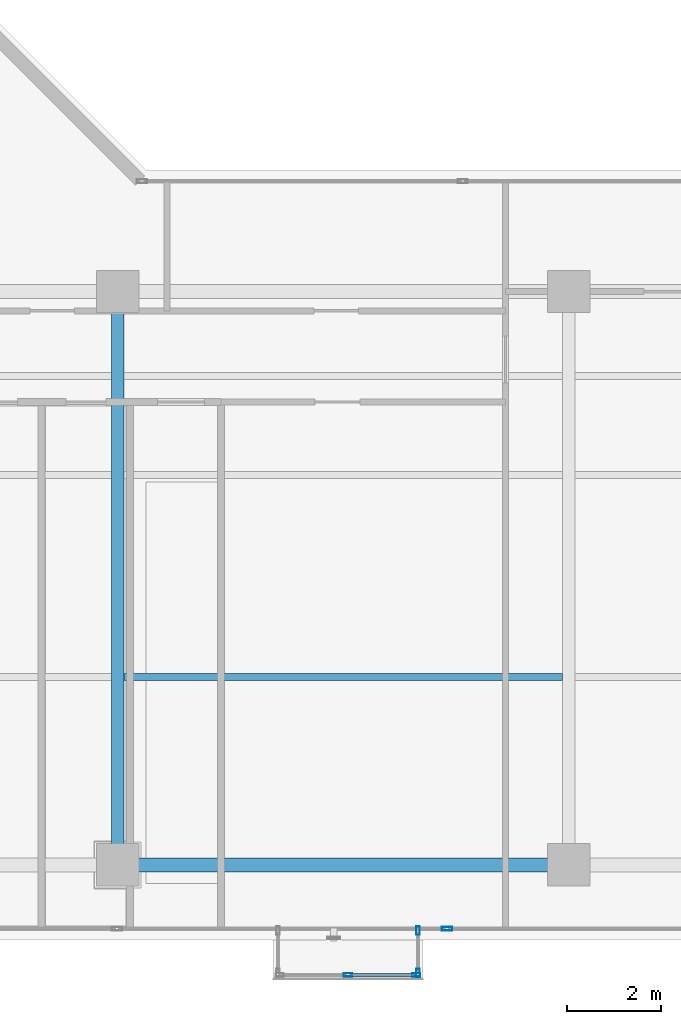
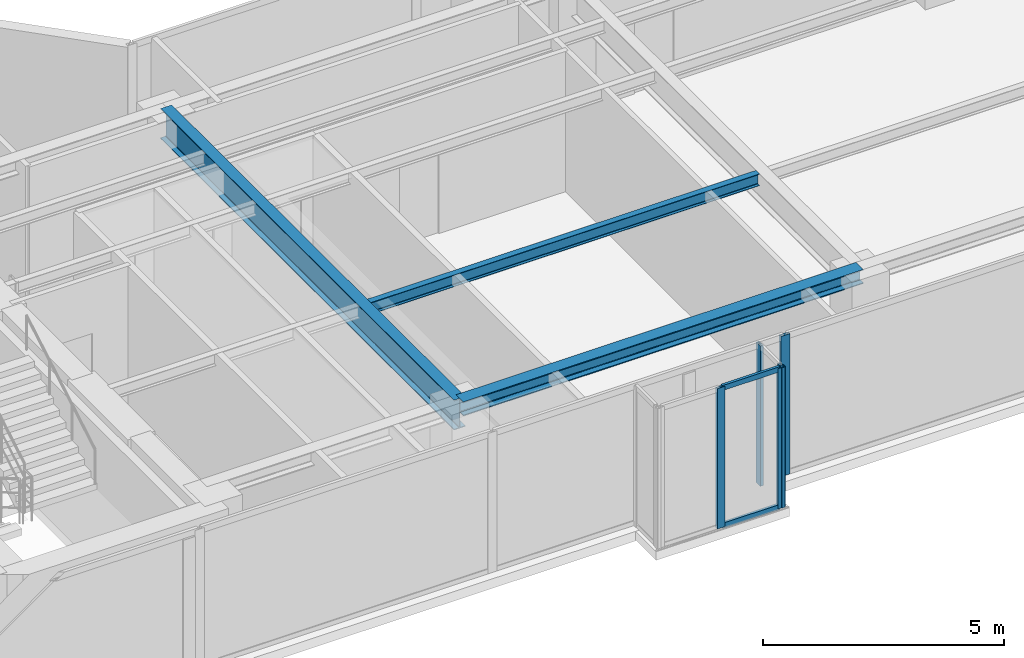
# One storey, part 5 of 22: 7 members, 3 beams, 3 elements without a shape of their own.
"""IFC4 building model written with IfcOpenShell, lengths in metres."""

from ifc_helpers import new_model, si_unit, direction, frame, origin, origin_with_axes, origin_2d, place, context, subcontext, project, spatial, hollow_rectangle, i_section, extrude, source, transform, mapped, material, layer, layer_set, material_profile, profile_set, type_object, element, aggregate, save


model = new_model("IFC4")

# Units and contexts
model_context = context("Model", 3, precision=1e-05, world=origin(), true_north=direction((0.0, 1.0)))
body_context = subcontext(model_context, "Body", "Model", "MODEL_VIEW")
ifc_project = project(units=[si_unit("LENGTHUNIT", "METRE"), si_unit("AREAUNIT", "SQUARE_METRE"), si_unit("VOLUMEUNIT", "CUBIC_METRE"), si_unit("PLANEANGLEUNIT", "RADIAN"), si_unit("MASSUNIT", "GRAM", prefix="KILO")], contexts=[model_context])

# Site, building, storey
site_placement = place(None, origin())
site = spatial("IfcSite", under=ifc_project, at=site_placement, CompositionType="ELEMENT")
building_placement = place(site_placement, origin())
building = spatial("IfcBuilding", under=site, at=building_placement, Name="Kolvaren Waterfront Exchange", CompositionType="ELEMENT")
storey_placement = place(building_placement, frame((0.0, 0.0, 266.60009765625)))
storey = spatial("IfcBuildingStorey", under=building, at=storey_placement, Name="L68", CompositionType="ELEMENT", Elevation=266.60009765625)

# Beams
ifc_material_1 = material(Name="Steel S355", Category="steel")
ifc_material_profile_1 = material_profile(ifc_material_1, i_section(OverallWidth=0.300048828125, OverallDepth=0.360107421875, WebThickness=0.012451171875, FlangeThickness=0.0224609375, FilletRadius=0.027099609375, at=origin_2d()), Name="HEB360")
ifc_profile_set_1 = profile_set([ifc_material_profile_1], Name="Steel S355")
beam_type_1 = type_object("IfcBeamType", Name="STR-BM-HEB360", PredefinedType="SPANDREL", material=ifc_profile_set_1)
beam_1_placement = place(storey_placement, frame((27.199951171875, 5.199951171875, 3.3798828125), z_axis=(1.0, 0.0, 0.0), x_axis=(0.0, 1.0, 0.0)))
element("IfcBeam", 1, at=beam_1_placement, inside=storey, type_object=beam_type_1, Name="L68 east-arm spandrel S2", PredefinedType="SPANDREL", context=body_context, shape_type="SweptSolid", body=[
    extrude(i_section(OverallWidth=0.300048828125, OverallDepth=0.360107421875, WebThickness=0.012451171875, FlangeThickness=0.0224609375, FilletRadius=0.027099609375, at=origin_2d()), origin(), (0.0, 0.0, 1.0), 9.60009765625),
])
ifc_material_profile_2 = material_profile(ifc_material_1, i_section(OverallWidth=0.14990234375, OverallDepth=0.300048828125, WebThickness=0.007080078125, FlangeThickness=0.0107421875, FilletRadius=0.014892578125, at=origin_2d()), Name="IPE300")
ifc_profile_set_2 = profile_set([ifc_material_profile_2], Name="Steel S355")
beam_type_2 = type_object("IfcBeamType", Name="STR-BM-IPE300", PredefinedType="JOIST", material=ifc_profile_set_2)
beam_2_placement = place(storey_placement, frame((27.33544921875, 9.199951171875, 3.409912109375), z_axis=(1.0, 0.0, 0.0), x_axis=(0.0, 1.0, 0.0)))
element("IfcBeam", 2, at=beam_2_placement, inside=storey, type_object=beam_type_2, Name="L68 east-arm composite joist 2B", PredefinedType="JOIST", context=body_context, shape_type="SweptSolid", body=[
    extrude(i_section(OverallWidth=0.14990234375, OverallDepth=0.300048828125, WebThickness=0.007080078125, FlangeThickness=0.0107421875, FilletRadius=0.014892578125, at=origin_2d()), origin(), (0.0, 0.0, 1.0), 9.3291015625),
])
ifc_material_profile_3 = material_profile(ifc_material_1, i_section(OverallWidth=0.26708984375, OverallDepth=0.761962890625, WebThickness=0.014404296875, FlangeThickness=0.021484375, FilletRadius=0.01708984375, at=origin_2d()), Name="IPE750x173")
ifc_profile_set_3 = profile_set([ifc_material_profile_3], Name="Steel S355")
beam_type_3 = type_object("IfcBeamType", Name="STR-BM-IPE750", PredefinedType="BEAM", material=ifc_profile_set_3)
beam_3_placement = place(storey_placement, frame((27.199951171875, 5.199951171875, 3.178955078125), z_axis=(0.0, 1.0, 0.0), x_axis=(-1.0, 0.0, 0.0)))
element("IfcBeam", 3, at=beam_3_placement, inside=storey, type_object=beam_type_3, Name="L68 east-arm transverse girder X27", PredefinedType="BEAM", context=body_context, shape_type="SweptSolid", body=[
    extrude(i_section(OverallWidth=0.26708984375, OverallDepth=0.761962890625, WebThickness=0.014404296875, FlangeThickness=0.021484375, FilletRadius=0.01708984375, at=origin_2d()), origin(), (0.0, 0.0, 1.0), 12.199951171875),
])

# Curtain wall, members
ifc_material_2 = material(Name="Anodised bronze aluminium 6063-T6", Category="aluminium")
ifc_layer_1 = layer(ifc_material_2, 0.219970703125, Name="Anodised bronze aluminium 6063-T6")
ifc_layer_set_1 = layer_set([ifc_layer_1], Name="Anodised bronze aluminium 6063-T6")
curtain_wall_type_1 = type_object("IfcCurtainWallType", Name="ARC-CW-SYS3", PredefinedType="USERDEFINED", material=ifc_layer_set_1)
curtain_wall_1_placement = place(storey_placement, origin())
curtain_wall_1 = element("IfcCurtainWall", 4, at=curtain_wall_1_placement, inside=storey, type_object=curtain_wall_type_1, Name="L68 stick curtain wall CW3 (CW-L68-BOX)", ObjectType="STICK CURTAIN WALL", PredefinedType="USERDEFINED")
ifc_material_profile_4 = material_profile(ifc_material_2, hollow_rectangle(XDim=0.06494140625, YDim=0.1298828125, WallThickness=0.00390625, at=origin_2d()), Name="ALU-TRN-130x65x4")
ifc_profile_set_4 = profile_set([ifc_material_profile_4], Name="Anodised bronze aluminium 6063-T6")
member_type_1 = type_object("IfcMemberType", Name="ARC-CWT-130", PredefinedType="USERDEFINED", material=ifc_profile_set_4)
shared_shape_1 = source(origin_with_axes(), body_context, "Body", "SweptSolid", [
    extrude(hollow_rectangle(XDim=0.06494140625, YDim=0.1298828125, WallThickness=0.00390625, at=origin_2d()), origin(), (0.0, 0.0, 1.0), 1.37744140625),
])
member_1_placement = place(storey_placement, frame((32.137451171875, 2.860107421875, 0.032470703125), z_axis=(1.0, 0.0, 0.0), x_axis=(0.0, 1.0, 0.0)))
member_1 = element("IfcMember", 5, at=member_1_placement, type_object=member_type_1, Name="CW3 transom 2.1", ObjectType="TRANSOM", PredefinedType="USERDEFINED", context=body_context, shape_type="MappedRepresentation", body=[
    mapped(shared_shape_1, transform((0.0, 0.0, 0.0), x_axis=(1.0, 0.0, 0.0), y_axis=(0.0, 1.0, 0.0), z_axis=(0.0, 0.0, 1.0), scale=1.0)),
])
member_2_placement = place(storey_placement, frame((32.137451171875, 2.860107421875, 3.52734375), z_axis=(1.0, 0.0, 0.0), x_axis=(0.0, 1.0, 0.0)))
member_2 = element("IfcMember", 6, at=member_2_placement, type_object=member_type_1, Name="CW3 transom 2.2", ObjectType="TRANSOM", PredefinedType="USERDEFINED", context=body_context, shape_type="MappedRepresentation", body=[
    mapped(shared_shape_1, transform((0.0, 0.0, 0.0), x_axis=(1.0, 0.0, 0.0), y_axis=(0.0, 1.0, 0.0), z_axis=(0.0, 0.0, 1.0), scale=1.0)),
])
ifc_material_profile_5 = material_profile(ifc_material_2, hollow_rectangle(XDim=0.074951171875, YDim=0.179931640625, WallThickness=0.00439453125, at=origin_2d()), Name="ALU-MUL-180x75x4.5")
ifc_profile_set_5 = profile_set([ifc_material_profile_5], Name="Anodised bronze aluminium 6063-T6")
member_type_2 = type_object("IfcMemberType", Name="ARC-CWM-180", PredefinedType="MULLION", material=ifc_profile_set_5)
shared_shape_2 = source(origin_with_axes(), body_context, "Body", "SweptSolid", [
    extrude(hollow_rectangle(XDim=0.074951171875, YDim=0.179931640625, WallThickness=0.00439453125, at=origin_2d()), origin(), (0.0, 0.0, 1.0), 3.559814453125),
])
member_3_placement = place(storey_placement, frame((32.10009765625, 2.860107421875, 0.0), z_axis=(0.0, 0.0, 1.0), x_axis=(0.0, 1.0, 0.0)))
member_3 = element("IfcMember", 7, at=member_3_placement, type_object=member_type_2, Name="CW3 mullion 2", PredefinedType="MULLION", context=body_context, shape_type="MappedRepresentation", body=[
    mapped(shared_shape_2, transform((0.0, 0.0, 0.0), x_axis=(1.0, 0.0, 0.0), y_axis=(0.0, 1.0, 0.0), z_axis=(0.0, 0.0, 1.0), scale=1.0)),
])
member_4_placement = place(storey_placement, frame((33.552490234375, 2.860107421875, 0.0), z_axis=(0.0, 0.0, 1.0), x_axis=(0.0, 1.0, 0.0)))
member_4 = element("IfcMember", 8, at=member_4_placement, type_object=member_type_2, Name="CW3 mullion 3", PredefinedType="MULLION", context=body_context, shape_type="MappedRepresentation", body=[
    mapped(shared_shape_2, transform((0.0, 0.0, 0.0), x_axis=(1.0, 0.0, 0.0), y_axis=(0.0, 1.0, 0.0), z_axis=(0.0, 0.0, 1.0), scale=1.0)),
])
aggregate(curtain_wall_1, [member_3, member_4, member_1, member_2])

curtain_wall_2_placement = place(storey_placement, origin())
curtain_wall_2 = element("IfcCurtainWall", 9, at=curtain_wall_2_placement, inside=storey, type_object=curtain_wall_type_1, Name="L68 stick curtain wall CW3 (CW-L68-BOX-E)", ObjectType="STICK CURTAIN WALL", PredefinedType="USERDEFINED")
member_5_placement = place(storey_placement, frame((33.590087890625, 2.8974609375, 0.0), z_axis=(0.0, 0.0, 1.0), x_axis=(-1.0, 0.0, 0.0)))
member_5 = element("IfcMember", 10, at=member_5_placement, type_object=member_type_2, Name="CW3 mullion 1", PredefinedType="MULLION", context=body_context, shape_type="MappedRepresentation", body=[
    mapped(shared_shape_2, transform((0.0, 0.0, 0.0), x_axis=(1.0, 0.0, 0.0), y_axis=(0.0, 1.0, 0.0), z_axis=(0.0, 0.0, 1.0), scale=1.0)),
])
member_6_placement = place(storey_placement, frame((33.590087890625, 3.802490234375, 0.0), z_axis=(0.0, 0.0, 1.0), x_axis=(-1.0, 0.0, 0.0)))
member_6 = element("IfcMember", 11, at=member_6_placement, type_object=member_type_2, Name="CW3 mullion 2", PredefinedType="MULLION", context=body_context, shape_type="MappedRepresentation", body=[
    mapped(shared_shape_2, transform((0.0, 0.0, 0.0), x_axis=(1.0, 0.0, 0.0), y_axis=(0.0, 1.0, 0.0), z_axis=(0.0, 0.0, 1.0), scale=1.0)),
])
aggregate(curtain_wall_2, [member_5, member_6])

# Curtain wall, member
ifc_layer_2 = layer(ifc_material_2, 0.219970703125, Name="Anodised bronze aluminium 6063-T6")
ifc_layer_set_2 = layer_set([ifc_layer_2], Name="Anodised bronze aluminium 6063-T6")
curtain_wall_type_2 = type_object("IfcCurtainWallType", Name="ARC-CW-SYS1", PredefinedType="USERDEFINED", material=ifc_layer_set_2)
curtain_wall_3_placement = place(storey_placement, origin())
curtain_wall_3 = element("IfcCurtainWall", 12, at=curtain_wall_3_placement, inside=storey, type_object=curtain_wall_type_2, Name="L68 stick curtain wall CW1 (CW-L68-S)", ObjectType="STICK CURTAIN WALL", PredefinedType="USERDEFINED")
ifc_material_3 = material(Name="Anodised aluminium 6063-T6", Category="aluminium")
ifc_material_profile_6 = material_profile(ifc_material_3, hollow_rectangle(XDim=0.080078125, YDim=0.219970703125, WallThickness=0.0048828125, at=origin_2d()), Name="ALU-MUL-220x80x5")
ifc_profile_set_6 = profile_set([ifc_material_profile_6], Name="Anodised aluminium 6063-T6")
member_type_3 = type_object("IfcMemberType", Name="ARC-CWM-220", PredefinedType="MULLION", material=ifc_profile_set_6)
shared_shape_3 = source(origin_with_axes(), body_context, "Body", "SweptSolid", [
    extrude(hollow_rectangle(XDim=0.080078125, YDim=0.219970703125, WallThickness=0.0048828125, at=origin_2d()), origin(), (0.0, 0.0, 1.0), 3.559814453125),
])
member_7_placement = place(storey_placement, frame((34.208740234375, 3.840087890625, 0.0), z_axis=(0.0, 0.0, 1.0), x_axis=(0.0, 1.0, 0.0)))
member_7 = element("IfcMember", 13, at=member_7_placement, type_object=member_type_3, Name="CW1 mullion 5", PredefinedType="MULLION", context=body_context, shape_type="MappedRepresentation", body=[
    mapped(shared_shape_3, transform((0.0, 0.0, 0.0), x_axis=(1.0, 0.0, 0.0), y_axis=(0.0, 1.0, 0.0), z_axis=(0.0, 0.0, 1.0), scale=1.0)),
])
aggregate(curtain_wall_3, [member_7])

save(model, "model.ifc")
